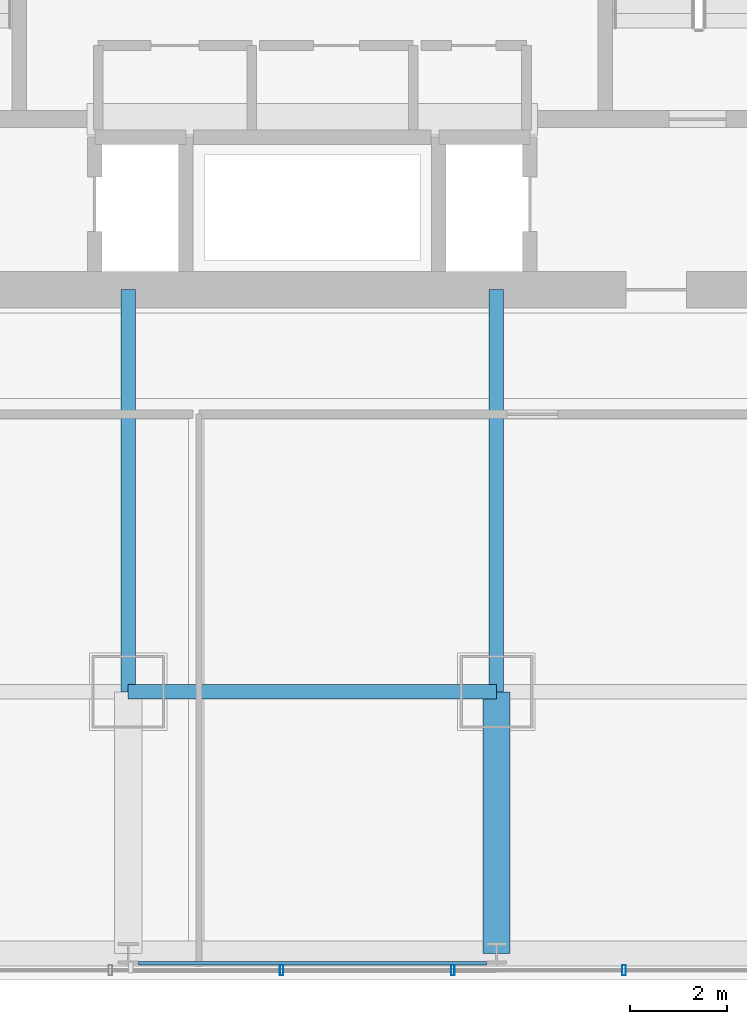
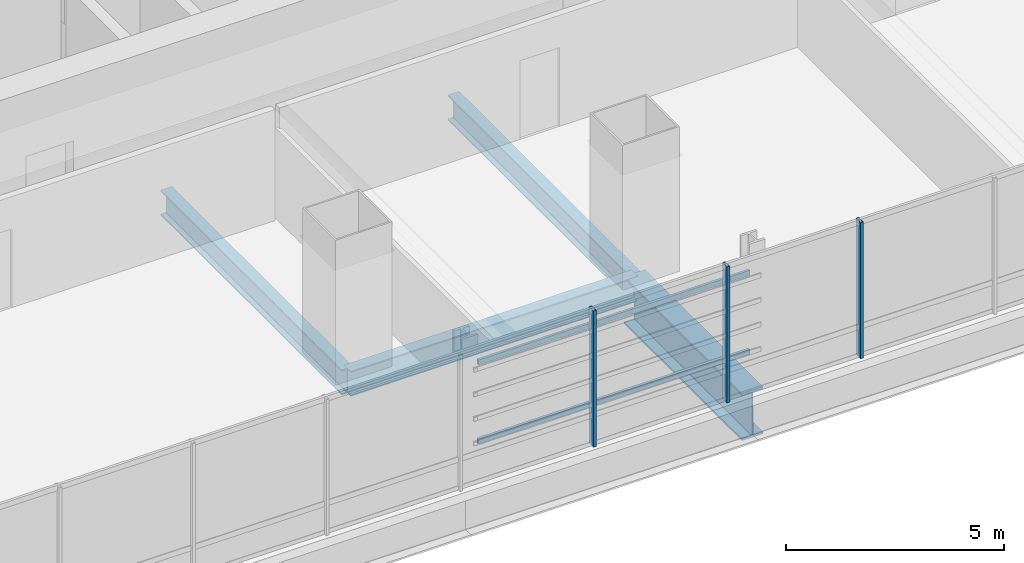
# One storey, part 8 of 36: 5 members, 4 beams, 1 element without a shape of its own.
"""IFC4 building model written with IfcOpenShell, lengths in metres."""

from ifc_helpers import new_model, si_unit, direction, frame, origin, origin_2d, place, context, subcontext, project, spatial, hollow_rectangle, i_section, extrude, material, material_profile, profile_set, type_object, element, aggregate, save


model = new_model("IFC4")

# Units and contexts
model_context = context("Model", 3, precision=1e-05, world=origin(), true_north=direction((0.0, 1.0)))
body_context = subcontext(model_context, "Body", "Model", "MODEL_VIEW")
ifc_project = project(units=[si_unit("LENGTHUNIT", "METRE"), si_unit("AREAUNIT", "SQUARE_METRE"), si_unit("VOLUMEUNIT", "CUBIC_METRE"), si_unit("PLANEANGLEUNIT", "RADIAN"), si_unit("MASSUNIT", "GRAM", prefix="KILO")], contexts=[model_context])

# Site, building, storey
site_placement = place(None, origin())
site = spatial("IfcSite", under=ifc_project, at=site_placement, CompositionType="ELEMENT")
building_placement = place(site_placement, origin())
building = spatial("IfcBuilding", under=site, at=building_placement, Name="Punatoya Terracotta Tower", CompositionType="ELEMENT")
storey_placement = place(building_placement, frame((0.0, 0.0, 40.35009765625)))
storey = spatial("IfcBuildingStorey", under=building, at=storey_placement, Name="L08", CompositionType="ELEMENT", Elevation=40.35009765625)

# Beams
ifc_material_1 = material(Name="Steel S355", Category="steel")
ifc_material_profile_1 = material_profile(ifc_material_1, i_section(OverallWidth=0.300048828125, OverallDepth=0.699951171875, WebThickness=0.01708984375, FlangeThickness=0.031982421875, FilletRadius=0.01806640625, at=origin_2d()))
ifc_profile_set_1 = profile_set([ifc_material_profile_1], Name="Steel S355")
beam_type_1 = type_object("IfcBeamType", Name="BM-PRI-700", PredefinedType="BEAM", material=ifc_profile_set_1)
beam_1_placement = place(storey_placement, frame((-3.800048828125, -17.5, -0.590087890625), z_axis=(1.0, 0.0, 0.0), x_axis=(0.0, 1.0, 0.0)))
element("IfcBeam", 1, at=beam_1_placement, inside=storey, type_object=beam_type_1, Name="BM-L08-RG-S2", PredefinedType="BEAM", context=body_context, shape_type="SweptSolid", body=[
    extrude(i_section(OverallWidth=0.300048828125, OverallDepth=0.699951171875, WebThickness=0.01708984375, FlangeThickness=0.031982421875, FilletRadius=0.01806640625, at=origin_2d()), origin(), (0.0, 0.0, 1.0), 7.60009765625),
])
for number, where, z_axis, x_axis, name in (
    (2, (-3.800048828125, -17.5, -0.590087890625), (0.0, 1.0, 0.0), (-1.0, 0.0, 0.0), "BM-L08-PR-S2"),
    (3, (3.800048828125, -17.5, -0.590087890625), (0.0, 1.0, 0.0), (-1.0, 0.0, 0.0), "BM-L08-PR-S3"),
):
    element("IfcBeam", number, at=place(storey_placement, frame(where, z_axis=z_axis, x_axis=x_axis)), inside=storey, type_object=beam_type_1, Name=name, PredefinedType="BEAM", context=body_context, shape_type="SweptSolid", body=[
        extrude(i_section(OverallWidth=0.300048828125, OverallDepth=0.699951171875, WebThickness=0.01708984375, FlangeThickness=0.031982421875, FilletRadius=0.01806640625, at=origin_2d()), origin(), (0.0, 0.0, 1.0), 8.300048828125),
    ])
ifc_material_2 = material(Name="Steel S460", Category="steel")
ifc_material_profile_2 = material_profile(ifc_material_2, i_section(OverallWidth=0.56005859375, OverallDepth=1.320068359375, WebThickness=0.035888671875, FlangeThickness=0.054931640625, FilletRadius=0.01806640625, at=origin_2d()))
ifc_profile_set_2 = profile_set([ifc_material_profile_2], Name="Steel S460")
beam_type_2 = type_object("IfcBeamType", Name="BM-TG-BLK", PredefinedType="BEAM", material=ifc_profile_set_2)
beam_2_placement = place(storey_placement, frame((3.800048828125, -22.89990234375, -0.900146484375), z_axis=(0.0, 1.0, 0.0), x_axis=(-1.0, 0.0, 0.0)))
element("IfcBeam", 4, at=beam_2_placement, inside=storey, type_object=beam_type_2, Name="BM-L08-CANT-S3", PredefinedType="BEAM", context=body_context, shape_type="SweptSolid", body=[
    extrude(i_section(OverallWidth=0.56005859375, OverallDepth=1.320068359375, WebThickness=0.035888671875, FlangeThickness=0.054931640625, FilletRadius=0.01806640625, at=origin_2d()), origin(), (0.0, 0.0, 1.0), 5.39990234375),
])

# Curtain wall, members
ifc_material_3 = material(Name="Aluminium 6063-T6 + Double Low-E Glass", Category="aluminium")
curtain_wall_type = type_object("IfcCurtainWallType", Name="CW-M1", PredefinedType="NOTDEFINED", material=ifc_material_3)
curtain_wall_placement = place(storey_placement, origin())
curtain_wall = element("IfcCurtainWall", 5, at=curtain_wall_placement, inside=storey, type_object=curtain_wall_type, Name="L08 Curtain Wall CW-L08-S01-1", PredefinedType="NOTDEFINED")
ifc_material_4 = material(Name="Aluminium 6063-T6", Category="aluminium")
ifc_material_profile_3 = material_profile(ifc_material_4, hollow_rectangle(XDim=0.074951171875, YDim=0.2099609375, WallThickness=0.00439453125, at=origin_2d()))
ifc_profile_set_3 = profile_set([ifc_material_profile_3], Name="Aluminium 6063-T6")
member_type_1 = type_object("IfcMemberType", Name="CW-MUL-M1", PredefinedType="MULLION", material=ifc_profile_set_3)
member_1_placement = place(storey_placement, frame((-0.633056640625, -23.25, 0.0), z_axis=(0.0, 0.0, 1.0), x_axis=(1.0, 0.0, 0.0)))
member_1 = element("IfcMember", 6, at=member_1_placement, type_object=member_type_1, Name="CW-L08-S01-1 Mullion 06", PredefinedType="MULLION", context=body_context, shape_type="SweptSolid", body=[
    extrude(hollow_rectangle(XDim=0.074951171875, YDim=0.2099609375, WallThickness=0.00439453125, at=origin_2d()), origin(), (0.0, 0.0, 1.0), 3.809814453125),
])
member_2_placement = place(storey_placement, frame((2.90087890625, -23.25, 0.0), z_axis=(0.0, 0.0, 1.0), x_axis=(1.0, 0.0, 0.0)))
member_2 = element("IfcMember", 7, at=member_2_placement, type_object=member_type_1, Name="CW-L08-S01-1 Mullion 07", PredefinedType="MULLION", context=body_context, shape_type="SweptSolid", body=[
    extrude(hollow_rectangle(XDim=0.074951171875, YDim=0.2099609375, WallThickness=0.00439453125, at=origin_2d()), origin(), (0.0, 0.0, 1.0), 3.809814453125),
])
member_3_placement = place(storey_placement, frame((6.43505859375, -23.25, 0.0), z_axis=(0.0, 0.0, 1.0), x_axis=(1.0, 0.0, 0.0)))
member_3 = element("IfcMember", 8, at=member_3_placement, type_object=member_type_1, Name="CW-L08-S01-1 Mullion 08", PredefinedType="MULLION", context=body_context, shape_type="SweptSolid", body=[
    extrude(hollow_rectangle(XDim=0.074951171875, YDim=0.2099609375, WallThickness=0.00439453125, at=origin_2d()), origin(), (0.0, 0.0, 1.0), 3.809814453125),
])
aggregate(curtain_wall, [member_1, member_2, member_3])

# Members
ifc_material_profile_4 = material_profile(ifc_material_1, hollow_rectangle(XDim=0.070068359375, YDim=0.139892578125, WallThickness=0.006103515625, at=origin_2d()))
ifc_profile_set_4 = profile_set([ifc_material_profile_4], Name="Steel S355")
member_type_2 = type_object("IfcMemberType", Name="MEM-BAG-RAIL", PredefinedType="USERDEFINED", material=ifc_profile_set_4)
for number, where, z_axis, x_axis, name in (
    (9, (-3.592529296875, -23.10498046875, 1.0498046875), (1.0, 0.0, 0.0), (0.0, 1.0, 0.0), "L08 Terracotta Baguette Carrier Rail BAG-L08-S-R1"),
    (10, (-3.592529296875, -23.10498046875, 3.260009765625), (1.0, 0.0, 0.0), (0.0, 1.0, 0.0), "L08 Terracotta Baguette Carrier Rail BAG-L08-S-R2"),
):
    element("IfcMember", number, at=place(storey_placement, frame(where, z_axis=z_axis, x_axis=x_axis)), inside=storey, type_object=member_type_2, Name=name, ObjectType="BAGUETTE", PredefinedType="USERDEFINED", context=body_context, shape_type="SweptSolid", body=[
        extrude(hollow_rectangle(XDim=0.070068359375, YDim=0.139892578125, WallThickness=0.006103515625, at=origin_2d()), origin(), (0.0, 0.0, 1.0), 7.18505859375),
    ])

save(model, "model.ifc")
